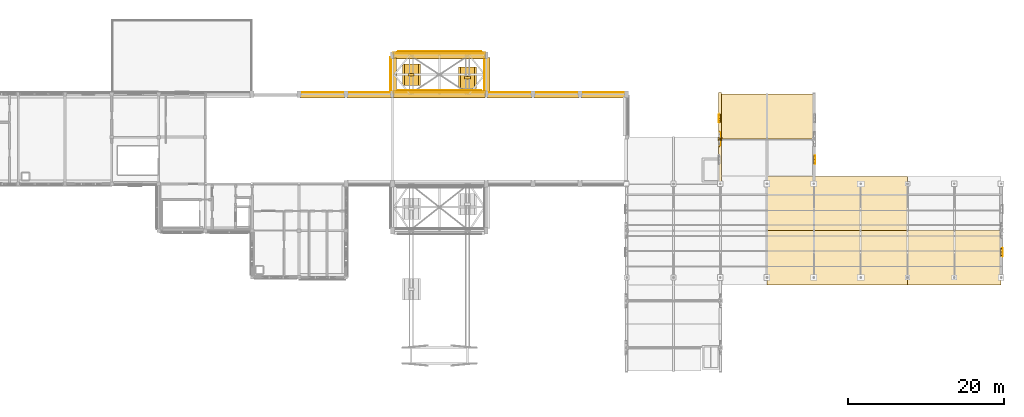
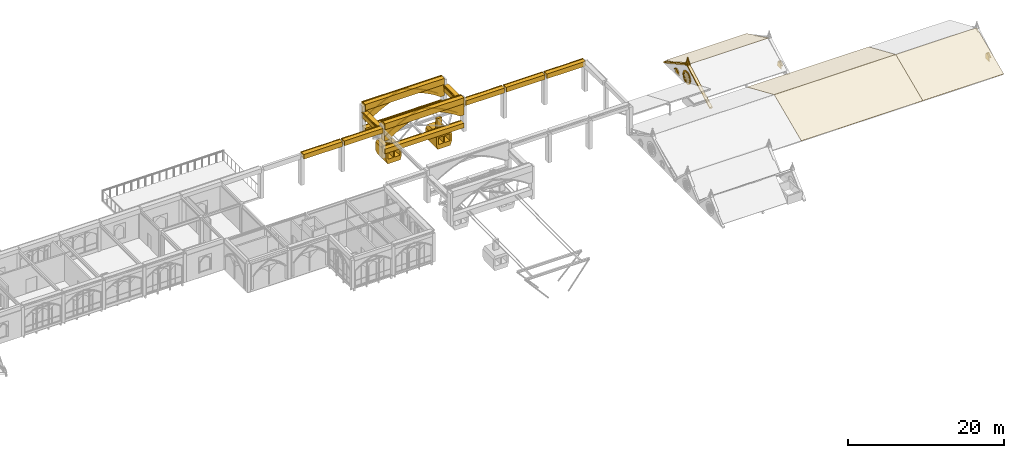
# One storey, part 56 of 59: 47 coverings.
"""IFC4 building model written with IfcOpenShell, lengths in metres."""

from ifc_helpers import new_model, si_unit, direction, frame, origin, origin_2d, place, context, subcontext, project, spatial, polyline, rectangle, outline, extrude, material, type_object, element, save


model = new_model("IFC4")

# Units and contexts
model_context = context("Model", 3, precision=1e-05, world=origin(), true_north=direction((0.0, 1.0)))
body_context = subcontext(model_context, "Body", "Model", "MODEL_VIEW")
ifc_project = project(units=[si_unit("LENGTHUNIT", "METRE"), si_unit("AREAUNIT", "SQUARE_METRE"), si_unit("VOLUMEUNIT", "CUBIC_METRE"), si_unit("PLANEANGLEUNIT", "RADIAN"), si_unit("MASSUNIT", "GRAM", prefix="KILO")], contexts=[model_context])

# Site, building, storey
site_placement = place(None, origin())
site = spatial("IfcSite", under=ifc_project, at=site_placement, CompositionType="ELEMENT")
building_placement = place(site_placement, origin())
building = spatial("IfcBuilding", under=site, at=building_placement, Name="Cumevento Cable Car Station", CompositionType="ELEMENT")
storey_placement = place(building_placement, frame((0.0, 0.0, 18.0)))
storey = spatial("IfcBuildingStorey", under=building, at=storey_placement, Name="L05", CompositionType="ELEMENT", Elevation=18.0)

# Coverings
ifc_material_1 = material(Name="Standing-Seam Zinc-Titanium Roof Sheet", Category="steel")
covering_type_1 = type_object("IfcCoveringType", Name="Standing-Seam Zinc Roofing CV-RF01", PredefinedType="ROOFING", material=ifc_material_1)
for number, where, z_axis, x_axis, name in (
    (1, (136.0, 32.050048828125, 0.49365234375), (0.0, -0.398735528577, 0.917065961777), (1.0, 0.0, 0.0), "Standing-Seam Zinc Roof Covering #15"),
    (2, (136.0, 38.9951171875, 3.517578125), (0.0, 0.398735528577, 0.917065961777), (1.0, 0.0, 0.0), "Standing-Seam Zinc Roof Covering #16"),
):
    element("IfcCovering", number, at=place(storey_placement, frame(where, z_axis=z_axis, x_axis=x_axis)), inside=storey, type_object=covering_type_1, Name=name, PredefinedType="ROOFING", context=body_context, shape_type="SweptSolid", body=[
        extrude(outline(polyline([(0.0, 0.0), (18.0, 0.0), (18.0, 7.583788161646252), (0.0, 7.583788161646252), (0.0, 0.0)])), origin(), (0.0, 0.0, -1.0), 0.02587890625),
    ])
covering_1_placement = place(storey_placement, frame((154.0, 32.050048828125, 0.49365234375), z_axis=(0.0, -0.398735528577, 0.917065961777), x_axis=(1.0, 0.0, 0.0)))
element("IfcCovering", 3, at=covering_1_placement, inside=storey, type_object=covering_type_1, Name="Standing-Seam Zinc Roof Covering #17", PredefinedType="ROOFING", context=body_context, shape_type="SweptSolid", body=[
    extrude(outline(polyline([(0.0, 0.0), (12.0, 0.0), (12.0, 7.583788161646252), (0.0, 7.583788161646252), (0.0, 0.0)])), origin(), (0.0, 0.0, -1.0), 0.02587890625),
])
covering_2_placement = place(storey_placement, frame((130.0, 50.760009765625, 3.18798828125), z_axis=(0.0, 0.437812513773, 0.899066294988), x_axis=(1.0, 0.0, 0.0)))
element("IfcCovering", 4, at=covering_2_placement, inside=storey, type_object=covering_type_1, Name="Standing-Seam Zinc Roof Covering #52", PredefinedType="ROOFING", context=body_context, shape_type="SweptSolid", body=[
    extrude(outline(polyline([(0.0, 0.0), (12.0, 0.0), (12.0, 6.384390413001489), (0.0, 6.384390413001489), (0.0, 0.0)])), origin(), (0.0, 0.0, -1.0), 0.02587890625),
])
ifc_material_2 = material(Name="Gnaisse Facoidal Stone Ashlar 85 MPa", Category="masonry")
covering_type_2 = type_object("IfcCoveringType", Name="Gnaisse Ashlar Cladding CV-CL01", PredefinedType="CLADDING", material=ifc_material_2)
covering_3_placement = place(storey_placement, frame((79.0, 56.35009765625, 4.032958984375), z_axis=(0.0, 0.0, 1.0), x_axis=(1.0, 0.0, 0.0)))
element("IfcCovering", 5, at=covering_3_placement, inside=storey, type_object=covering_type_2, Name="Gothic Stone Spandrel Stringcourse sc:0814", PredefinedType="CLADDING", context=body_context, shape_type="SweptSolid", body=[
    extrude(rectangle(XDim=5.739990234375, YDim=0.659912109375, at=origin_2d()), origin(), (0.0, 0.0, 1.0), 0.7470703125),
])
covering_4_placement = place(storey_placement, frame((79.0, 56.70751953125, 4.650146484375), z_axis=(0.0, 0.0, 1.0), x_axis=(1.0, 0.0, 0.0)))
element("IfcCovering", 6, at=covering_4_placement, inside=storey, type_object=covering_type_2, Name="Gothic Cornice Dripstone Lip sc:0814", PredefinedType="CLADDING", context=body_context, shape_type="SweptSolid", body=[
    extrude(rectangle(XDim=5.780029296875, YDim=0.114990234375, at=origin_2d()), origin(), (0.0, 0.0, 1.0), 0.1298828125),
])
covering_5_placement = place(storey_placement, frame((85.0, 56.35009765625, 4.032958984375), z_axis=(0.0, 0.0, 1.0), x_axis=(1.0, 0.0, 0.0)))
element("IfcCovering", 7, at=covering_5_placement, inside=storey, type_object=covering_type_2, Name="Gothic Stone Spandrel Stringcourse sc:0815", PredefinedType="CLADDING", context=body_context, shape_type="SweptSolid", body=[
    extrude(rectangle(XDim=5.739990234375, YDim=0.659912109375, at=origin_2d()), origin(), (0.0, 0.0, 1.0), 0.7470703125),
])
covering_6_placement = place(storey_placement, frame((85.0, 56.70751953125, 4.650146484375), z_axis=(0.0, 0.0, 1.0), x_axis=(1.0, 0.0, 0.0)))
element("IfcCovering", 8, at=covering_6_placement, inside=storey, type_object=covering_type_2, Name="Gothic Cornice Dripstone Lip sc:0815", PredefinedType="CLADDING", context=body_context, shape_type="SweptSolid", body=[
    extrude(rectangle(XDim=5.780029296875, YDim=0.114990234375, at=origin_2d()), origin(), (0.0, 0.0, 1.0), 0.1298828125),
])
covering_7_placement = place(storey_placement, frame((103.0, 56.35009765625, 4.032958984375), z_axis=(0.0, 0.0, 1.0), x_axis=(1.0, 0.0, 0.0)))
element("IfcCovering", 9, at=covering_7_placement, inside=storey, type_object=covering_type_2, Name="Gothic Stone Spandrel Stringcourse sc:0819", PredefinedType="CLADDING", context=body_context, shape_type="SweptSolid", body=[
    extrude(rectangle(XDim=5.739990234375, YDim=0.659912109375, at=origin_2d()), origin(), (0.0, 0.0, 1.0), 0.7470703125),
])
covering_8_placement = place(storey_placement, frame((103.0, 56.70751953125, 4.650146484375), z_axis=(0.0, 0.0, 1.0), x_axis=(1.0, 0.0, 0.0)))
element("IfcCovering", 10, at=covering_8_placement, inside=storey, type_object=covering_type_2, Name="Gothic Cornice Dripstone Lip sc:0819", PredefinedType="CLADDING", context=body_context, shape_type="SweptSolid", body=[
    extrude(rectangle(XDim=5.780029296875, YDim=0.114990234375, at=origin_2d()), origin(), (0.0, 0.0, 1.0), 0.1298828125),
])
covering_9_placement = place(storey_placement, frame((109.0, 56.35009765625, 4.032958984375), z_axis=(0.0, 0.0, 1.0), x_axis=(1.0, 0.0, 0.0)))
element("IfcCovering", 11, at=covering_9_placement, inside=storey, type_object=covering_type_2, Name="Gothic Stone Spandrel Stringcourse sc:0820", PredefinedType="CLADDING", context=body_context, shape_type="SweptSolid", body=[
    extrude(rectangle(XDim=5.739990234375, YDim=0.659912109375, at=origin_2d()), origin(), (0.0, 0.0, 1.0), 0.7470703125),
])
covering_10_placement = place(storey_placement, frame((109.0, 56.70751953125, 4.650146484375), z_axis=(0.0, 0.0, 1.0), x_axis=(1.0, 0.0, 0.0)))
element("IfcCovering", 12, at=covering_10_placement, inside=storey, type_object=covering_type_2, Name="Gothic Cornice Dripstone Lip sc:0820", PredefinedType="CLADDING", context=body_context, shape_type="SweptSolid", body=[
    extrude(rectangle(XDim=5.780029296875, YDim=0.114990234375, at=origin_2d()), origin(), (0.0, 0.0, 1.0), 0.1298828125),
])
covering_11_placement = place(storey_placement, frame((115.0, 56.35009765625, 4.032958984375), z_axis=(0.0, 0.0, 1.0), x_axis=(1.0, 0.0, 0.0)))
element("IfcCovering", 13, at=covering_11_placement, inside=storey, type_object=covering_type_2, Name="Gothic Stone Spandrel Stringcourse sc:0821", PredefinedType="CLADDING", context=body_context, shape_type="SweptSolid", body=[
    extrude(rectangle(XDim=5.739990234375, YDim=0.659912109375, at=origin_2d()), origin(), (0.0, 0.0, 1.0), 0.7470703125),
])
covering_12_placement = place(storey_placement, frame((115.0, 56.70751953125, 4.650146484375), z_axis=(0.0, 0.0, 1.0), x_axis=(1.0, 0.0, 0.0)))
element("IfcCovering", 14, at=covering_12_placement, inside=storey, type_object=covering_type_2, Name="Gothic Cornice Dripstone Lip sc:0821", PredefinedType="CLADDING", context=body_context, shape_type="SweptSolid", body=[
    extrude(rectangle(XDim=5.780029296875, YDim=0.114990234375, at=origin_2d()), origin(), (0.0, 0.0, 1.0), 0.1298828125),
])
covering_13_placement = place(storey_placement, frame((94.0, 56.357421875, 4.423095703125), z_axis=(0.0, 0.0, 1.0), x_axis=(1.0, 0.0, 0.0)))
element("IfcCovering", 15, at=covering_13_placement, inside=storey, type_object=covering_type_2, Name="Gothic Stone Spandrel Stringcourse sc:0854", PredefinedType="CLADDING", context=body_context, shape_type="SweptSolid", body=[
    extrude(rectangle(XDim=11.739990234375, YDim=0.675048828125, at=origin_2d()), origin(), (0.0, 0.0, 1.0), 0.95703125),
])
covering_14_placement = place(storey_placement, frame((94.0, 56.722412109375, 5.25), z_axis=(0.0, 0.0, 1.0), x_axis=(1.0, 0.0, 0.0)))
element("IfcCovering", 16, at=covering_14_placement, inside=storey, type_object=covering_type_2, Name="Gothic Cornice Dripstone Lip sc:0854", PredefinedType="CLADDING", context=body_context, shape_type="SweptSolid", body=[
    extrude(rectangle(XDim=11.780029296875, YDim=0.114990234375, at=origin_2d()), origin(), (0.0, 0.0, 1.0), 0.1298828125),
])
covering_15_placement = place(storey_placement, frame((94.0, 56.357421875, 0.6728515625), z_axis=(0.0, 0.0, 1.0), x_axis=(1.0, 0.0, 0.0)))
element("IfcCovering", 17, at=covering_15_placement, inside=storey, type_object=covering_type_2, Name="Gothic Stone Spandrel Stringcourse sc:0855", PredefinedType="CLADDING", context=body_context, shape_type="SweptSolid", body=[
    extrude(rectangle(XDim=11.739990234375, YDim=0.675048828125, at=origin_2d()), origin(), (0.0, 0.0, 1.0), 0.737060546875),
])
covering_16_placement = place(storey_placement, frame((94.0, 56.722412109375, 1.280029296875), z_axis=(0.0, 0.0, 1.0), x_axis=(1.0, 0.0, 0.0)))
element("IfcCovering", 18, at=covering_16_placement, inside=storey, type_object=covering_type_2, Name="Gothic Cornice Dripstone Lip sc:0855", PredefinedType="CLADDING", context=body_context, shape_type="SweptSolid", body=[
    extrude(rectangle(XDim=11.780029296875, YDim=0.114990234375, at=origin_2d()), origin(), (0.0, 0.0, 1.0), 0.1298828125),
])
covering_17_placement = place(storey_placement, frame((88.14306640625, 59.0, 3.2822265625), z_axis=(0.0, 0.0, 1.0), x_axis=(0.0, 1.0, 0.0)))
element("IfcCovering", 19, at=covering_17_placement, inside=storey, type_object=covering_type_2, Name="Gothic Stone Spandrel Stringcourse sc:0862", PredefinedType="CLADDING", context=body_context, shape_type="SweptSolid", body=[
    extrude(rectangle(XDim=4.389892578125, YDim=0.674072265625, at=origin_2d()), origin(), (0.0, 0.0, 1.0), 0.947998046875),
])
covering_18_placement = place(storey_placement, frame((87.778564453125, 59.0, 4.10009765625), z_axis=(0.0, 0.0, 1.0), x_axis=(0.0, 1.0, 0.0)))
element("IfcCovering", 20, at=covering_18_placement, inside=storey, type_object=covering_type_2, Name="Gothic Cornice Dripstone Lip sc:0862", PredefinedType="CLADDING", context=body_context, shape_type="SweptSolid", body=[
    extrude(rectangle(XDim=4.429931640625, YDim=0.114990234375, at=origin_2d()), origin(), (0.0, 0.0, 1.0), 0.1298828125),
])
covering_19_placement = place(storey_placement, frame((100.14306640625, 59.0, 3.2822265625), z_axis=(0.0, 0.0, 1.0), x_axis=(0.0, 1.0, 0.0)))
element("IfcCovering", 21, at=covering_19_placement, inside=storey, type_object=covering_type_2, Name="Gothic Stone Spandrel Stringcourse sc:0863", PredefinedType="CLADDING", context=body_context, shape_type="SweptSolid", body=[
    extrude(rectangle(XDim=4.389892578125, YDim=0.674072265625, at=origin_2d()), origin(), (0.0, 0.0, 1.0), 0.947998046875),
])
covering_20_placement = place(storey_placement, frame((99.778564453125, 59.0, 4.10009765625), z_axis=(0.0, 0.0, 1.0), x_axis=(0.0, 1.0, 0.0)))
element("IfcCovering", 22, at=covering_20_placement, inside=storey, type_object=covering_type_2, Name="Gothic Cornice Dripstone Lip sc:0863", PredefinedType="CLADDING", context=body_context, shape_type="SweptSolid", body=[
    extrude(rectangle(XDim=4.429931640625, YDim=0.114990234375, at=origin_2d()), origin(), (0.0, 0.0, 1.0), 0.1298828125),
])
covering_21_placement = place(storey_placement, frame((94.0, 61.357421875, 4.423095703125), z_axis=(0.0, 0.0, 1.0), x_axis=(1.0, 0.0, 0.0)))
element("IfcCovering", 23, at=covering_21_placement, inside=storey, type_object=covering_type_2, Name="Gothic Stone Spandrel Stringcourse sc:0864", PredefinedType="CLADDING", context=body_context, shape_type="SweptSolid", body=[
    extrude(rectangle(XDim=11.739990234375, YDim=0.675048828125, at=origin_2d()), origin(), (0.0, 0.0, 1.0), 0.95703125),
])
covering_22_placement = place(storey_placement, frame((94.0, 61.722412109375, 5.25), z_axis=(0.0, 0.0, 1.0), x_axis=(1.0, 0.0, 0.0)))
element("IfcCovering", 24, at=covering_22_placement, inside=storey, type_object=covering_type_2, Name="Gothic Cornice Dripstone Lip sc:0864", PredefinedType="CLADDING", context=body_context, shape_type="SweptSolid", body=[
    extrude(rectangle(XDim=11.780029296875, YDim=0.114990234375, at=origin_2d()), origin(), (0.0, 0.0, 1.0), 0.1298828125),
])
covering_23_placement = place(storey_placement, frame((94.0, 61.357421875, 0.673095703125), z_axis=(0.0, 0.0, 1.0), x_axis=(1.0, 0.0, 0.0)))
element("IfcCovering", 25, at=covering_23_placement, inside=storey, type_object=covering_type_2, Name="Gothic Stone Spandrel Stringcourse sc:0865", PredefinedType="CLADDING", context=body_context, shape_type="SweptSolid", body=[
    extrude(rectangle(XDim=11.739990234375, YDim=0.675048828125, at=origin_2d()), origin(), (0.0, 0.0, 1.0), 0.95703125),
])
covering_24_placement = place(storey_placement, frame((94.0, 61.722412109375, 1.5), z_axis=(0.0, 0.0, 1.0), x_axis=(1.0, 0.0, 0.0)))
element("IfcCovering", 26, at=covering_24_placement, inside=storey, type_object=covering_type_2, Name="Gothic Cornice Dripstone Lip sc:0865", PredefinedType="CLADDING", context=body_context, shape_type="SweptSolid", body=[
    extrude(rectangle(XDim=11.780029296875, YDim=0.114990234375, at=origin_2d()), origin(), (0.0, 0.0, 1.0), 0.1298828125),
])
covering_25_placement = place(storey_placement, frame((88.550048828125, 61.5, 2.64990234375), z_axis=(0.0, 0.0, 1.0), x_axis=(1.0, 0.0, 0.0)))
element("IfcCovering", 27, at=covering_25_placement, inside=storey, type_object=covering_type_2, Name="Gothic Ogival Pointed-Arch Stone Spandrel ptl_mouth_arch:1:outer", PredefinedType="CLADDING", context=body_context, shape_type="SweptSolid", body=[
    extrude(outline(polyline([(-0.449951171875, 0.0), (-0.449951171875, 2.699951171875), (11.35009765625, 2.699951171875), (11.35009765625, 0.0), (10.739990234375, 0.0), (10.2587890625, 0.333740234375), (9.76513671875, 0.6484375), (9.25927734375, 0.943115234375), (8.7421875, 1.2177734375), (8.214599609375, 1.471923828125), (7.677490234375, 1.704833984375), (7.131591796875, 1.91650390625), (6.577880859375, 2.1064453125), (6.01708984375, 2.2744140625), (5.449951171875, 2.419921875), (4.8828125, 2.2744140625), (4.322021484375, 2.1064453125), (3.768310546875, 1.91650390625), (3.222412109375, 1.704833984375), (2.685302734375, 1.471923828125), (2.15771484375, 1.2177734375), (1.640625, 0.943115234375), (1.134765625, 0.6484375), (0.64111328125, 0.333740234375), (0.159912109375, 0.0), (-0.449951171875, 0.0)])), frame((0.0, 0.43994140625, 0.0), z_axis=(0.0, -1.0, 0.0), x_axis=(1.0, 0.0, 0.0)), (0.0, 0.0, 1.0), 0.8798828125),
])
covering_26_placement = place(storey_placement, frame((88.550048828125, 61.5, 2.64990234375), z_axis=(0.0, 0.0, 1.0), x_axis=(1.0, 0.0, 0.0)))
element("IfcCovering", 28, at=covering_26_placement, inside=storey, type_object=covering_type_2, Name="Gothic Pointed Archivolt Hood Moulding ptl_mouth_arch:1:outer", PredefinedType="CLADDING", context=body_context, shape_type="SweptSolid", body=[
    extrude(outline(polyline([(0.159912109375, 0.0), (0.64111328125, 0.333740234375), (1.134765625, 0.6484375), (1.640625, 0.943115234375), (2.15771484375, 1.2177734375), (2.685302734375, 1.471923828125), (3.222412109375, 1.704833984375), (3.768310546875, 1.91650390625), (4.322021484375, 2.1064453125), (4.8828125, 2.2744140625), (5.449951171875, 2.419921875), (6.01708984375, 2.2744140625), (6.577880859375, 2.1064453125), (7.131591796875, 1.91650390625), (7.677490234375, 1.704833984375), (8.214599609375, 1.471923828125), (8.7421875, 1.2177734375), (9.25927734375, 0.943115234375), (9.76513671875, 0.6484375), (10.2587890625, 0.333740234375), (10.739990234375, 0.0), (10.8798828125, 0.0), (10.390380859375, 0.357177734375), (9.886474609375, 0.694091796875), (9.369384765625, 1.010009765625), (8.83984375, 1.304443359375), (8.29833984375, 1.576904296875), (7.746337890625, 1.826904296875), (7.1845703125, 2.05419921875), (6.614013671875, 2.258056640625), (6.035400390625, 2.4384765625), (5.449951171875, 2.594970703125), (4.864501953125, 2.4384765625), (4.285888671875, 2.258056640625), (3.71533203125, 2.05419921875), (3.153564453125, 1.826904296875), (2.6015625, 1.576904296875), (2.06005859375, 1.304443359375), (1.530517578125, 1.010009765625), (1.013427734375, 0.694091796875), (0.509521484375, 0.357177734375), (0.02001953125, 0.0), (0.159912109375, 0.0)])), frame((0.0, 0.48193359375, 0.0), z_axis=(0.0, -1.0, 0.0), x_axis=(1.0, 0.0, 0.0)), (0.0, 0.0, 1.0), 0.06689453125),
])
covering_27_placement = place(storey_placement, frame((88.550048828125, 56.5, 2.64990234375), z_axis=(0.0, 0.0, 1.0), x_axis=(1.0, 0.0, 0.0)))
element("IfcCovering", 29, at=covering_27_placement, inside=storey, type_object=covering_type_2, Name="Gothic Ogival Pointed-Arch Stone Spandrel ptl_mouth_arch:1:inner", PredefinedType="CLADDING", context=body_context, shape_type="SweptSolid", body=[
    extrude(outline(polyline([(-0.449951171875, 0.0), (-0.449951171875, 2.699951171875), (11.35009765625, 2.699951171875), (11.35009765625, 0.0), (10.739990234375, 0.0), (10.2587890625, 0.333740234375), (9.76513671875, 0.6484375), (9.25927734375, 0.943115234375), (8.7421875, 1.2177734375), (8.214599609375, 1.471923828125), (7.677490234375, 1.704833984375), (7.131591796875, 1.91650390625), (6.577880859375, 2.1064453125), (6.01708984375, 2.2744140625), (5.449951171875, 2.419921875), (4.8828125, 2.2744140625), (4.322021484375, 2.1064453125), (3.768310546875, 1.91650390625), (3.222412109375, 1.704833984375), (2.685302734375, 1.471923828125), (2.15771484375, 1.2177734375), (1.640625, 0.943115234375), (1.134765625, 0.6484375), (0.64111328125, 0.333740234375), (0.159912109375, 0.0), (-0.449951171875, 0.0)])), frame((0.0, 0.43994140625, 0.0), z_axis=(0.0, -1.0, 0.0), x_axis=(1.0, 0.0, 0.0)), (0.0, 0.0, 1.0), 0.8798828125),
])
covering_28_placement = place(storey_placement, frame((88.550048828125, 56.5, 2.64990234375), z_axis=(0.0, 0.0, 1.0), x_axis=(1.0, 0.0, 0.0)))
element("IfcCovering", 30, at=covering_28_placement, inside=storey, type_object=covering_type_2, Name="Gothic Pointed Archivolt Hood Moulding ptl_mouth_arch:1:inner", PredefinedType="CLADDING", context=body_context, shape_type="SweptSolid", body=[
    extrude(outline(polyline([(0.159912109375, 0.0), (0.64111328125, 0.333740234375), (1.134765625, 0.6484375), (1.640625, 0.943115234375), (2.15771484375, 1.2177734375), (2.685302734375, 1.471923828125), (3.222412109375, 1.704833984375), (3.768310546875, 1.91650390625), (4.322021484375, 2.1064453125), (4.8828125, 2.2744140625), (5.449951171875, 2.419921875), (6.01708984375, 2.2744140625), (6.577880859375, 2.1064453125), (7.131591796875, 1.91650390625), (7.677490234375, 1.704833984375), (8.214599609375, 1.471923828125), (8.7421875, 1.2177734375), (9.25927734375, 0.943115234375), (9.76513671875, 0.6484375), (10.2587890625, 0.333740234375), (10.739990234375, 0.0), (10.8798828125, 0.0), (10.390380859375, 0.357177734375), (9.886474609375, 0.694091796875), (9.369384765625, 1.010009765625), (8.83984375, 1.304443359375), (8.29833984375, 1.576904296875), (7.746337890625, 1.826904296875), (7.1845703125, 2.05419921875), (6.614013671875, 2.258056640625), (6.035400390625, 2.4384765625), (5.449951171875, 2.594970703125), (4.864501953125, 2.4384765625), (4.285888671875, 2.258056640625), (3.71533203125, 2.05419921875), (3.153564453125, 1.826904296875), (2.6015625, 1.576904296875), (2.06005859375, 1.304443359375), (1.530517578125, 1.010009765625), (1.013427734375, 0.694091796875), (0.509521484375, 0.357177734375), (0.02001953125, 0.0), (0.159912109375, 0.0)])), frame((0.0, 0.48193359375, 0.0), z_axis=(0.0, -1.0, 0.0), x_axis=(1.0, 0.0, 0.0)), (0.0, 0.0, 1.0), 0.06689453125),
])
placement_1 = place(storey_placement, frame((166.0, 45.0, 0.0), z_axis=(0.0, 0.0, 1.0), x_axis=(0.0, -1.0, 0.0)))
element("IfcCovering", 31, at=placement_1, inside=storey, type_object=covering_type_2, Name="Gothic Gable Recessed Tracery Backing depot_garage_E lancet_1", PredefinedType="CLADDING", context=body_context, shape_type="SweptSolid", body=[
    extrude(outline(polyline([(8.2548828125, 0.14990234375), (9.264892578125, 0.14990234375), (9.1826171875, 0.847412109375), (9.089599609375, 0.933349609375), (8.987060546875, 1.008056640625), (8.876708984375, 1.070556640625), (8.760009765625, 1.11962890625), (8.643310546875, 1.070556640625), (8.532958984375, 1.008056640625), (8.430419921875, 0.933349609375), (8.33740234375, 0.847412109375), (8.2548828125, 0.14990234375)])), frame((0.0, 0.050048828125, 0.0), z_axis=(0.0, -1.0, 0.0), x_axis=(1.0, 0.0, 0.0)), (0.0, 0.0, 1.0), 0.074951171875),
])
element("IfcCovering", 32, at=placement_1, inside=storey, type_object=covering_type_2, Name="Gable Lancet Stone Hood Moulding depot_garage_E #2", PredefinedType="CLADDING", context=body_context, shape_type="SweptSolid", body=[
    extrude(outline(polyline([(8.284912109375, 0.750244140625), (8.3623046875, 0.84130859375), (8.44970703125, 0.9228515625), (8.5458984375, 0.993896484375), (8.64990234375, 1.052978515625), (8.760009765625, 1.099609375), (8.8701171875, 1.052978515625), (8.97412109375, 0.993896484375), (9.0703125, 0.9228515625), (9.15771484375, 0.84130859375), (9.235107421875, 0.750244140625), (9.324951171875, 0.750244140625), (9.238037109375, 0.87158203125), (9.13623046875, 0.980712890625), (9.021240234375, 1.076171875), (8.895263671875, 1.15625), (8.760009765625, 1.219482421875), (8.624755859375, 1.15625), (8.498779296875, 1.076171875), (8.3837890625, 0.980712890625), (8.281982421875, 0.87158203125), (8.195068359375, 0.750244140625), (8.284912109375, 0.750244140625)])), frame((0.0, 0.205078125, 0.0), z_axis=(0.0, -1.0, 0.0), x_axis=(1.0, 0.0, 0.0)), (0.0, 0.0, 1.0), 0.090087890625),
])
placement_2 = place(storey_placement, frame((130.0, 45.0, 0.0), z_axis=(0.0, 0.0, 1.0), x_axis=(0.0, 1.0, 0.0)))
element("IfcCovering", 33, at=placement_2, inside=storey, type_object=covering_type_2, Name="Gothic Gable Recessed Tracery Backing wing_B_V5c_W rose", PredefinedType="CLADDING", context=body_context, shape_type="SweptSolid", body=[
    extrude(outline(polyline([(6.62158203125, 1.2626953125), (6.55517578125, 1.596435546875), (6.3662109375, 1.879150390625), (6.08349609375, 2.068115234375), (5.75, 2.134521484375), (5.41650390625, 2.068115234375), (5.1337890625, 1.879150390625), (4.94482421875, 1.596435546875), (4.87841796875, 1.2626953125), (4.94482421875, 0.92919921875), (5.1337890625, 0.646484375), (5.41650390625, 0.45751953125), (5.75, 0.39111328125), (6.08349609375, 0.45751953125), (6.3662109375, 0.646484375), (6.55517578125, 0.92919921875), (6.62158203125, 1.2626953125)])), frame((0.0, 0.050048828125, 0.0), z_axis=(0.0, -1.0, 0.0), x_axis=(1.0, 0.0, 0.0)), (0.0, 0.0, 1.0), 0.074951171875),
])
element("IfcCovering", 34, at=placement_2, inside=storey, type_object=covering_type_2, Name="Gothic Gable Recessed Tracery Backing wing_B_V5c_W lancet_1", PredefinedType="CLADDING", context=body_context, shape_type="SweptSolid", body=[
    extrude(outline(polyline([(7.889892578125, 0.14990234375), (8.89990234375, 0.14990234375), (8.814208984375, 0.77490234375), (8.7197265625, 0.85205078125), (8.61767578125, 0.918701171875), (8.509033203125, 0.974365234375), (8.39501953125, 1.017822265625), (8.281005859375, 0.974365234375), (8.17236328125, 0.918701171875), (8.0703125, 0.85205078125), (7.975830078125, 0.77490234375), (7.889892578125, 0.14990234375)])), frame((0.0, 0.050048828125, 0.0), z_axis=(0.0, -1.0, 0.0), x_axis=(1.0, 0.0, 0.0)), (0.0, 0.0, 1.0), 0.074951171875),
])
element("IfcCovering", 35, at=placement_2, inside=storey, type_object=covering_type_2, Name="Gothic 16-Sided Stone Rose Window Ring wing_B_V5c_W", PredefinedType="CLADDING", context=body_context, shape_type="SweptSolid", body=[
    extrude(outline(polyline([(6.76171875, 1.2626953125), (6.6845703125, 1.64990234375), (6.46533203125, 1.97802734375), (6.13720703125, 2.197509765625), (5.75, 2.2744140625), (5.36279296875, 2.197509765625), (5.03466796875, 1.97802734375), (4.8154296875, 1.64990234375), (4.73828125, 1.2626953125), (4.8154296875, 0.875732421875), (5.03466796875, 0.547607421875), (5.36279296875, 0.328125), (5.75, 0.251220703125), (6.13720703125, 0.328125), (6.46533203125, 0.547607421875), (6.6845703125, 0.875732421875), (6.76171875, 1.2626953125)]), holes=[polyline([(6.51171875, 1.2626953125), (6.45361328125, 1.55419921875), (6.28857421875, 1.80126953125), (6.04150390625, 1.96630859375), (5.75, 2.0244140625), (5.45849609375, 1.96630859375), (5.21142578125, 1.80126953125), (5.04638671875, 1.55419921875), (4.98828125, 1.2626953125), (5.04638671875, 0.971435546875), (5.21142578125, 0.724365234375), (5.45849609375, 0.55908203125), (5.75, 0.501220703125), (6.04150390625, 0.55908203125), (6.28857421875, 0.724365234375), (6.45361328125, 0.971435546875), (6.51171875, 1.2626953125)])]), frame((0.0, 0.215087890625, 0.0), z_axis=(0.0, -1.0, 0.0), x_axis=(1.0, 0.0, 0.0)), (0.0, 0.0, 1.0), 0.110107421875),
])
element("IfcCovering", 36, at=placement_2, inside=storey, type_object=covering_type_2, Name="Gable Lancet Stone Hood Moulding wing_B_V5c_W #2", PredefinedType="CLADDING", context=body_context, shape_type="SweptSolid", body=[
    extrude(outline(polyline([(7.919921875, 0.68701171875), (8.00048828125, 0.768798828125), (8.08935546875, 0.841552734375), (8.185546875, 0.904541015625), (8.287841796875, 0.956787109375), (8.39501953125, 0.997802734375), (8.502197265625, 0.956787109375), (8.6044921875, 0.904541015625), (8.70068359375, 0.841552734375), (8.78955078125, 0.768798828125), (8.8701171875, 0.68701171875), (8.9599609375, 0.68701171875), (8.869384765625, 0.79931640625), (8.76611328125, 0.899658203125), (8.6513671875, 0.987060546875), (8.527099609375, 1.060302734375), (8.39501953125, 1.117919921875), (8.262939453125, 1.060302734375), (8.138671875, 0.987060546875), (8.02392578125, 0.899658203125), (7.920654296875, 0.79931640625), (7.830078125, 0.68701171875), (7.919921875, 0.68701171875)])), frame((0.0, 0.205078125, 0.0), z_axis=(0.0, -1.0, 0.0), x_axis=(1.0, 0.0, 0.0)), (0.0, 0.0, 1.0), 0.090087890625),
])
element("IfcCovering", 37, at=placement_2, inside=storey, type_object=covering_type_2, Name="Raking Gothic Stone Gable Coping wing_B_V5c_W", PredefinedType="CLADDING", context=body_context, shape_type="SweptSolid", body=[
    extrude(outline(polyline([(-0.199951171875, -0.06005859375), (5.75, 3.159912109375), (11.699951171875, -0.06005859375), (11.699951171875, 0.139892578125), (5.75, 3.39990234375), (-0.199951171875, 0.139892578125), (-0.199951171875, -0.06005859375)])), frame((0.0, 0.219970703125, 0.0), z_axis=(0.0, -1.0, 0.0), x_axis=(1.0, 0.0, 0.0)), (0.0, 0.0, 1.0), 0.39990234375),
])
for number, where, z_axis, x_axis, name in (
    (38, (130.2099609375, 50.510009765625, 3.260009765625), (0.97486272659, 0.0, 0.222806338116), (0.0, 1.0, 0.0), "Gothic Gable Finial Spire Facet 1 wing_B_V5c_W"),
    (39, (130.2099609375, 50.989990234375, 3.260009765625), (0.0, 0.97486272659, 0.222806338116), (-1.0, 0.0, 0.0), "Gothic Gable Finial Spire Facet 2 wing_B_V5c_W"),
    (40, (129.72998046875, 50.989990234375, 3.260009765625), (-0.97486272659, 0.0, 0.222806338116), (0.0, -1.0, 0.0), "Gothic Gable Finial Spire Facet 3 wing_B_V5c_W"),
    (41, (129.72998046875, 50.510009765625, 3.260009765625), (0.0, -0.97486272659, 0.222806338116), (1.0, 0.0, 0.0), "Gothic Gable Finial Spire Facet 4 wing_B_V5c_W"),
):
    element("IfcCovering", number, at=place(storey_placement, frame(where, z_axis=z_axis, x_axis=x_axis)), inside=storey, type_object=covering_type_2, Name=name, PredefinedType="CLADDING", context=body_context, shape_type="SweptSolid", body=[
        extrude(outline(polyline([(0.0, 0.0), (0.47998046875, 0.0), (0.239990234375, 1.0771248089437238), (0.0, 0.0)])), origin(), (0.0, 0.0, -1.0), 0.06494140625),
    ])
placement_3 = place(storey_placement, frame((142.0, 56.5, 0.0), z_axis=(0.0, 0.0, 1.0), x_axis=(0.0, -1.0, 0.0)))
element("IfcCovering", 42, at=placement_3, inside=storey, type_object=covering_type_2, Name="Gothic Gable Recessed Tracery Backing wing_B_V5c_E lancet_1", PredefinedType="CLADDING", context=body_context, shape_type="SweptSolid", body=[
    extrude(outline(polyline([(7.889892578125, 0.14990234375), (8.89990234375, 0.14990234375), (8.814208984375, 0.77490234375), (8.7197265625, 0.85205078125), (8.61767578125, 0.918701171875), (8.509033203125, 0.974365234375), (8.39501953125, 1.017822265625), (8.281005859375, 0.974365234375), (8.17236328125, 0.918701171875), (8.0703125, 0.85205078125), (7.975830078125, 0.77490234375), (7.889892578125, 0.14990234375)])), frame((0.0, 0.050048828125, 0.0), z_axis=(0.0, -1.0, 0.0), x_axis=(1.0, 0.0, 0.0)), (0.0, 0.0, 1.0), 0.074951171875),
])
element("IfcCovering", 43, at=placement_3, inside=storey, type_object=covering_type_2, Name="Gable Lancet Stone Hood Moulding wing_B_V5c_E #2", PredefinedType="CLADDING", context=body_context, shape_type="SweptSolid", body=[
    extrude(outline(polyline([(7.919921875, 0.68701171875), (8.00048828125, 0.768798828125), (8.08935546875, 0.841552734375), (8.185546875, 0.904541015625), (8.287841796875, 0.956787109375), (8.39501953125, 0.997802734375), (8.502197265625, 0.956787109375), (8.6044921875, 0.904541015625), (8.70068359375, 0.841552734375), (8.78955078125, 0.768798828125), (8.8701171875, 0.68701171875), (8.9599609375, 0.68701171875), (8.869384765625, 0.79931640625), (8.76611328125, 0.899658203125), (8.6513671875, 0.987060546875), (8.527099609375, 1.060302734375), (8.39501953125, 1.117919921875), (8.262939453125, 1.060302734375), (8.138671875, 0.987060546875), (8.02392578125, 0.899658203125), (7.920654296875, 0.79931640625), (7.830078125, 0.68701171875), (7.919921875, 0.68701171875)])), frame((0.0, 0.205078125, 0.0), z_axis=(0.0, -1.0, 0.0), x_axis=(1.0, 0.0, 0.0)), (0.0, 0.0, 1.0), 0.090087890625),
])
covering_38_placement = place(storey_placement, frame((90.39990234375, 59.0, -0.18017578125), z_axis=(0.0, 0.0, 1.0), x_axis=(1.0, 0.0, 0.0)))
element("IfcCovering", 44, at=covering_38_placement, inside=storey, type_object=covering_type_2, Name="Gondola Detachable Grip & Suspension Arm CAB_N_THROAT_OUT", PredefinedType="CLADDING", context=body_context, shape_type="SweptSolid", body=[
    extrude(rectangle(XDim=0.719970703125, YDim=0.340087890625, at=origin_2d()), origin(), (0.0, 0.0, 1.0), 1.679931640625),
])
covering_39_placement = place(storey_placement, frame((89.25, 59.0, -2.340087890625), z_axis=(0.0, 0.0, 1.0), x_axis=(1.0, 0.0, 0.0)))
element("IfcCovering", 45, at=covering_39_placement, inside=storey, type_object=covering_type_2, Name="Panoramic Aerial Gondola Cabin Body CAB_N_THROAT_OUT", PredefinedType="CLADDING", context=body_context, shape_type="SweptSolid", body=[
    extrude(outline(polyline([(0.219970703125, 0.0), (2.080078125, 0.0), (2.300048828125, 0.64990234375), (2.300048828125, 1.85009765625), (2.050048828125, 2.25), (0.25, 2.25), (0.0, 1.85009765625), (0.0, 0.64990234375), (0.219970703125, 0.0)]), holes=[polyline([(0.280029296875, 0.719970703125), (1.06005859375, 0.719970703125), (1.06005859375, 1.820068359375), (0.280029296875, 1.820068359375), (0.280029296875, 0.719970703125)]), polyline([(1.239990234375, 0.719970703125), (2.02001953125, 0.719970703125), (2.02001953125, 1.820068359375), (1.239990234375, 1.820068359375), (1.239990234375, 0.719970703125)])]), frame((0.0, 1.375, 0.0), z_axis=(0.0, -1.0, 0.0), x_axis=(1.0, 0.0, 0.0)), (0.0, 0.0, 1.0), 2.75),
])
covering_40_placement = place(storey_placement, frame((97.60009765625, 58.60009765625, -0.18017578125), z_axis=(0.0, 0.0, 1.0), x_axis=(1.0, 0.0, 0.0)))
element("IfcCovering", 46, at=covering_40_placement, inside=storey, type_object=covering_type_2, Name="Gondola Detachable Grip & Suspension Arm CAB_N_THROAT_IN", PredefinedType="CLADDING", context=body_context, shape_type="SweptSolid", body=[
    extrude(rectangle(XDim=0.719970703125, YDim=0.340087890625, at=origin_2d()), origin(), (0.0, 0.0, 1.0), 1.679931640625),
])
covering_41_placement = place(storey_placement, frame((96.449951171875, 58.60009765625, -2.340087890625), z_axis=(0.0, 0.0, 1.0), x_axis=(1.0, 0.0, 0.0)))
element("IfcCovering", 47, at=covering_41_placement, inside=storey, type_object=covering_type_2, Name="Panoramic Aerial Gondola Cabin Body CAB_N_THROAT_IN", PredefinedType="CLADDING", context=body_context, shape_type="SweptSolid", body=[
    extrude(outline(polyline([(0.219970703125, 0.0), (2.080078125, 0.0), (2.300048828125, 0.64990234375), (2.300048828125, 1.85009765625), (2.050048828125, 2.25), (0.25, 2.25), (0.0, 1.85009765625), (0.0, 0.64990234375), (0.219970703125, 0.0)]), holes=[polyline([(0.280029296875, 0.719970703125), (1.06005859375, 0.719970703125), (1.06005859375, 1.820068359375), (0.280029296875, 1.820068359375), (0.280029296875, 0.719970703125)]), polyline([(1.239990234375, 0.719970703125), (2.02001953125, 0.719970703125), (2.02001953125, 1.820068359375), (1.239990234375, 1.820068359375), (1.239990234375, 0.719970703125)])]), frame((0.0, 1.375, 0.0), z_axis=(0.0, -1.0, 0.0), x_axis=(1.0, 0.0, 0.0)), (0.0, 0.0, 1.0), 2.75),
])

save(model, "model.ifc")
